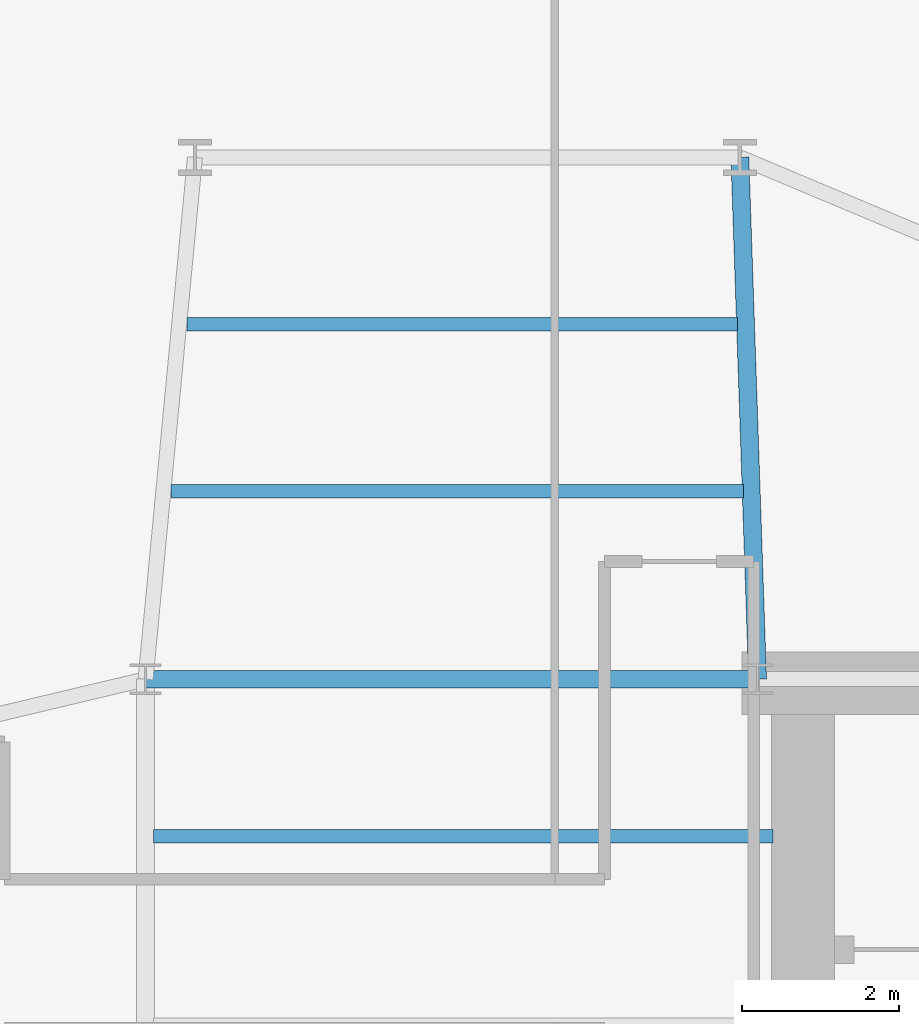
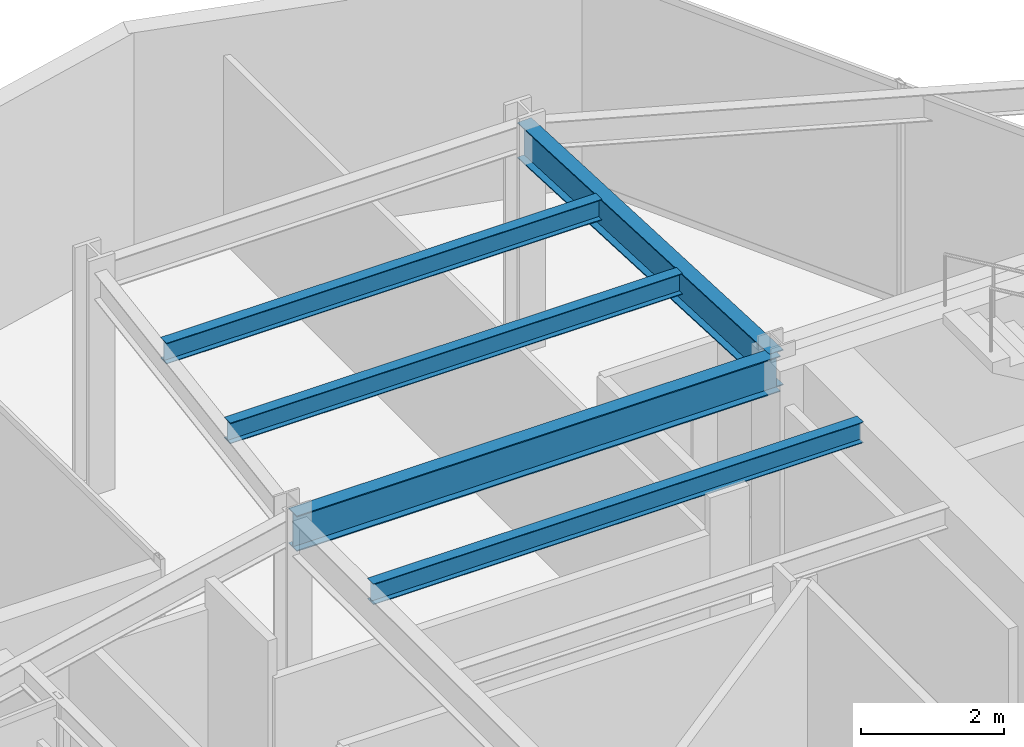
# One storey, part 11 of 25: 5 beams.
"""IFC4 building model written with IfcOpenShell, lengths in metres."""

from ifc_helpers import new_model, si_unit, direction, frame, origin, origin_2d, place, context, subcontext, project, spatial, i_section, extrude, material, material_profile, profile_set, type_object, element, save


model = new_model("IFC4")

# Units and contexts
model_context = context("Model", 3, precision=1e-05, world=origin(), true_north=direction((0.0, 1.0)))
body_context = subcontext(model_context, "Body", "Model", "MODEL_VIEW")
ifc_project = project(units=[si_unit("LENGTHUNIT", "METRE"), si_unit("AREAUNIT", "SQUARE_METRE"), si_unit("VOLUMEUNIT", "CUBIC_METRE"), si_unit("PLANEANGLEUNIT", "RADIAN"), si_unit("MASSUNIT", "GRAM", prefix="KILO")], contexts=[model_context])

# Site, building, storey
site_placement = place(None, origin())
site = spatial("IfcSite", under=ifc_project, at=site_placement, CompositionType="ELEMENT")
building_placement = place(site_placement, origin())
building = spatial("IfcBuilding", under=site, at=building_placement, Name="Veymaron Broadcast Tower", CompositionType="ELEMENT")
storey_placement = place(building_placement, frame((0.0, 0.0, 129.0)))
storey = spatial("IfcBuildingStorey", under=building, at=storey_placement, Name="L29", CompositionType="ELEMENT", Elevation=129.0)

# Beams
ifc_material = material(Name="Structural steel ASTM A992 Gr 50", Category="steel")
ifc_material_profile_1 = material_profile(ifc_material, i_section(OverallWidth=0.22802734375, OverallDepth=0.60791015625, WebThickness=0.01123046875, FlangeThickness=0.017333984375, at=origin_2d()), Name="W610X113")
ifc_profile_set_1 = profile_set([ifc_material_profile_1], Name="Structural steel ASTM A992 Gr 50")
beam_type_1 = type_object("IfcBeamType", Name="BM-FG2", PredefinedType="BEAM", material=ifc_profile_set_1)
beam_1_placement = place(storey_placement, frame((31.199951171875, 32.0, 3.506103515625), z_axis=(1.0, 0.0, 0.0), x_axis=(0.0, 1.0, 0.0)))
element("IfcBeam", 1, at=beam_1_placement, inside=storey, type_object=beam_type_1, Name="L29 primary structural floor girder", PredefinedType="BEAM", context=body_context, shape_type="SweptSolid", body=[
    extrude(i_section(OverallWidth=0.22802734375, OverallDepth=0.60791015625, WebThickness=0.01123046875, FlangeThickness=0.017333984375, at=origin_2d()), origin(), (0.0, 0.0, 1.0), 7.800048828125),
])
beam_2_placement = place(storey_placement, frame((39.0, 32.0, 3.506103515625), z_axis=(-0.033830392706, 0.999427588437, 0.0), x_axis=(-0.999427588437, -0.033830392706, 0.0)))
element("IfcBeam", 2, at=beam_2_placement, inside=storey, type_object=beam_type_1, Name="L29 primary structural floor girder", PredefinedType="BEAM", context=body_context, shape_type="SweptSolid", body=[
    extrude(i_section(OverallWidth=0.22802734375, OverallDepth=0.60791015625, WebThickness=0.01123046875, FlangeThickness=0.017333984375, at=origin_2d()), origin(), (0.0, 0.0, 1.0), 6.65380859375),
])
ifc_material_profile_2 = material_profile(ifc_material, i_section(OverallWidth=0.1708984375, OverallDepth=0.35498046875, WebThickness=0.007080078125, FlangeThickness=0.01171875, at=origin_2d()), Name="W360X51")
ifc_profile_set_2 = profile_set([ifc_material_profile_2], Name="Structural steel ASTM A992 Gr 50")
beam_type_2 = type_object("IfcBeamType", Name="BM-JS2", PredefinedType="JOIST", material=ifc_profile_set_2)
beam_3_placement = place(storey_placement, frame((31.52685546875, 34.39404296875, 3.632568359375), z_axis=(1.0, 0.0, 0.0), x_axis=(0.0, 1.0, 0.0)))
element("IfcBeam", 3, at=beam_3_placement, inside=storey, type_object=beam_type_2, Name="L29 Arm-B secondary joist 1", PredefinedType="JOIST", context=body_context, shape_type="SweptSolid", body=[
    extrude(i_section(OverallWidth=0.1708984375, OverallDepth=0.35498046875, WebThickness=0.007080078125, FlangeThickness=0.01171875, at=origin_2d()), origin(), (0.0, 0.0, 1.0), 7.292236328125),
])
beam_4_placement = place(storey_placement, frame((31.728515625, 36.52197265625, 3.632568359375), z_axis=(1.0, 0.0, 0.0), x_axis=(0.0, 1.0, 0.0)))
element("IfcBeam", 4, at=beam_4_placement, inside=storey, type_object=beam_type_2, Name="L29 Arm-B secondary joist 2", PredefinedType="JOIST", context=body_context, shape_type="SweptSolid", body=[
    extrude(i_section(OverallWidth=0.1708984375, OverallDepth=0.35498046875, WebThickness=0.007080078125, FlangeThickness=0.01171875, at=origin_2d()), origin(), (0.0, 0.0, 1.0), 7.0185546875),
])
beam_5_placement = place(storey_placement, frame((31.300048828125, 30.0, 3.632568359375), z_axis=(1.0, 0.0, 0.0), x_axis=(0.0, 1.0, 0.0)))
element("IfcBeam", 5, at=beam_5_placement, inside=storey, type_object=beam_type_2, Name="L29 Hub secondary joist 4", PredefinedType="JOIST", context=body_context, shape_type="SweptSolid", body=[
    extrude(i_section(OverallWidth=0.1708984375, OverallDepth=0.35498046875, WebThickness=0.007080078125, FlangeThickness=0.01171875, at=origin_2d()), origin(), (0.0, 0.0, 1.0), 7.89990234375),
])

save(model, "model.ifc")
